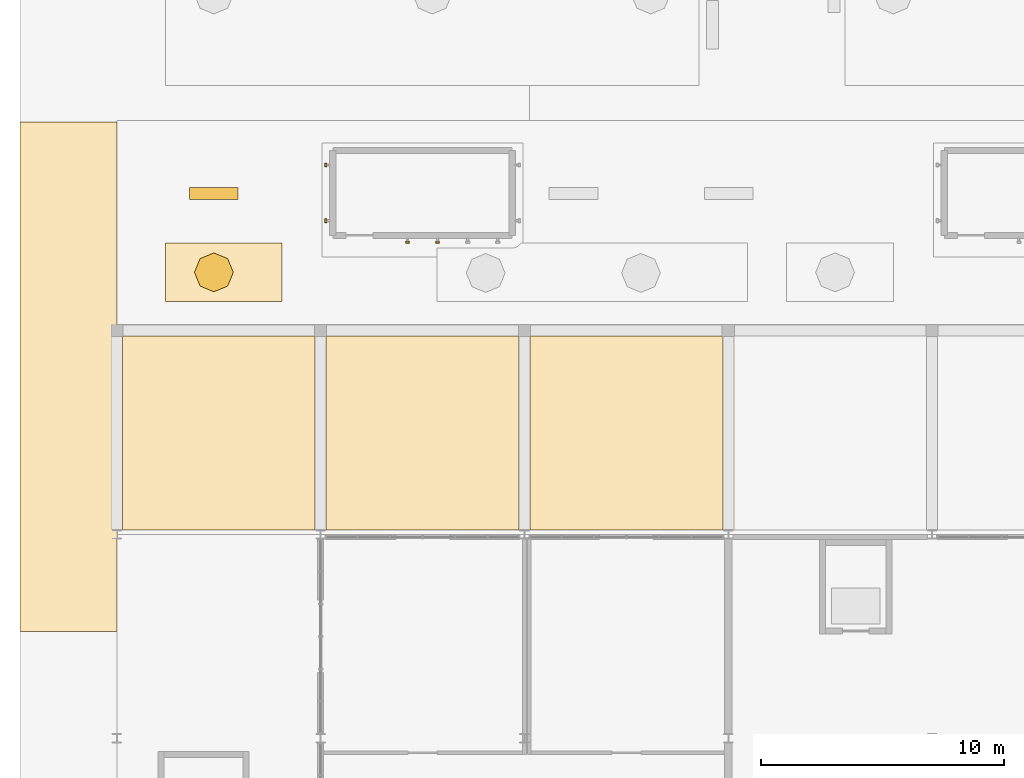
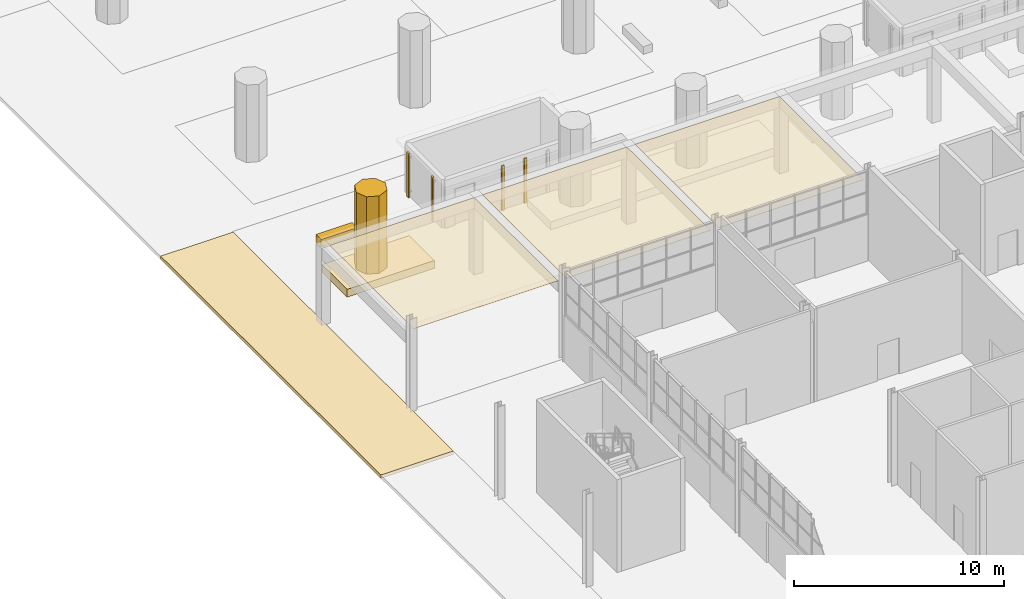
# One storey, part 113 of 127: 7 coverings, 4 shading devices.
"""IFC4 building model written with IfcOpenShell, lengths in metres."""

from ifc_helpers import new_model, si_unit, direction, frame, origin, origin_2d, place, context, subcontext, project, spatial, polyline, rectangle, outline, extrude, material, layer, layer_set, type_object, element, save


model = new_model("IFC4")

# Units and contexts
model_context = context("Model", 3, precision=1e-05, world=origin(), true_north=direction((0.0, 1.0)))
body_context = subcontext(model_context, "Body", "Model", "MODEL_VIEW")
ifc_project = project(units=[si_unit("LENGTHUNIT", "METRE"), si_unit("AREAUNIT", "SQUARE_METRE"), si_unit("VOLUMEUNIT", "CUBIC_METRE"), si_unit("PLANEANGLEUNIT", "RADIAN"), si_unit("MASSUNIT", "GRAM", prefix="KILO")], contexts=[model_context])

# Site, building, storey
site_placement = place(None, origin())
site = spatial("IfcSite", under=ifc_project, at=site_placement, CompositionType="ELEMENT")
building_placement = place(site_placement, origin())
building = spatial("IfcBuilding", under=site, at=building_placement, Name="Ljudholm Concert House", CompositionType="ELEMENT")
storey_placement = place(building_placement, origin())
storey = spatial("IfcBuildingStorey", under=building, at=storey_placement, Name="L00", CompositionType="ELEMENT", Elevation=0.0)

# Coverings
ifc_material_1 = material(Name="Aluminium soffit panels, timber-grain PVDF finish", Category="aluminium")
ifc_layer_1 = layer(ifc_material_1, 0.02001953125)
ifc_layer_set_1 = layer_set([ifc_layer_1], Name="Aluminium soffit panels, timber-grain PVDF finish")
covering_type_1 = type_object("IfcCoveringType", Name="ALUMINIUM SOFFIT PANELS, TIMBER-GRAIN PVDF FINISH CEILING 20", PredefinedType="CEILING", material=ifc_layer_set_1)
covering_1_placement = place(storey_placement, frame((0.0, 0.0, 4.47998046875)))
element("IfcCovering", 1, at=covering_1_placement, inside=storey, type_object=covering_type_1, Name="Arcade soffit", PredefinedType="CEILING", context=body_context, shape_type="SweptSolid", body=[
    extrude(outline(polyline([(4.22509765625, 130.186767578125), (12.175048828125, 130.186767578125), (12.175048828125, 138.175048828125), (4.22509765625, 138.175048828125), (4.22509765625, 130.186767578125)])), origin(), (0.0, 0.0, 1.0), 0.02001953125),
])
covering_2_placement = place(storey_placement, frame((0.0, 0.0, 4.47998046875)))
element("IfcCovering", 2, at=covering_2_placement, inside=storey, type_object=covering_type_1, Name="Arcade soffit", PredefinedType="CEILING", context=body_context, shape_type="SweptSolid", body=[
    extrude(outline(polyline([(12.625, 130.186767578125), (20.574951171875, 130.186767578125), (20.574951171875, 138.175048828125), (12.625, 138.175048828125), (12.625, 130.186767578125)])), origin(), (0.0, 0.0, 1.0), 0.02001953125),
])
covering_3_placement = place(storey_placement, frame((0.0, 0.0, 4.47998046875)))
element("IfcCovering", 3, at=covering_3_placement, inside=storey, type_object=covering_type_1, Name="Arcade soffit", PredefinedType="CEILING", context=body_context, shape_type="SweptSolid", body=[
    extrude(outline(polyline([(21.02490234375, 130.186767578125), (28.97509765625, 130.186767578125), (28.97509765625, 138.175048828125), (21.02490234375, 138.175048828125), (21.02490234375, 130.186767578125)])), origin(), (0.0, 0.0, 1.0), 0.02001953125),
])

# Shading devices
ifc_material_2 = material(Name="Aluminium extrusion with timber-grain PVDF finish", Category="aluminium")
shading_device_type = type_object("IfcShadingDeviceType", Name="FACADE FIN 80x160", PredefinedType="SHUTTER", material=ifc_material_2)
for number, where, z_axis, x_axis, name in (
    (4, (15.97802734375, 142.0400390625, 0.099853515625), (0.0, 0.0, 1.0), (0.0, -1.0, 0.0), "Facade fin"),
    (5, (17.217041015625, 142.0400390625, 0.099853515625), (0.0, 0.0, 1.0), (0.0, -1.0, 0.0), "Facade fin"),
    (6, (12.614990234375, 142.925048828125, 0.099853515625), (0.0, 0.0, 1.0), (-1.0, 0.0, 0.0), "Facade fin"),
    (7, (12.614990234375, 145.22509765625, 0.099853515625), (0.0, 0.0, 1.0), (-1.0, 0.0, 0.0), "Facade fin"),
):
    element("IfcShadingDevice", number, at=place(storey_placement, frame(where, z_axis=z_axis, x_axis=x_axis)), inside=storey, type_object=shading_device_type, Name=name, PredefinedType="SHUTTER", context=body_context, shape_type="SweptSolid", body=[
        extrude(rectangle(XDim=0.080078125, YDim=0.159912109375, at=origin_2d()), origin(), (0.0, 0.0, 1.0), 2.60009765625),
    ])

# Coverings
ifc_material_3 = material(Name="Planting soil and ground cover")
ifc_layer_2 = layer(ifc_material_3, 0.449951171875)
ifc_layer_set_2 = layer_set([ifc_layer_2], Name="Planting soil and ground cover")
covering_type_2 = type_object("IfcCoveringType", Name="PLANTING SOIL AND GROUND COVER FLOOR FINISH 450", PredefinedType="FLOORING", material=ifc_layer_set_2)
covering_4_placement = place(storey_placement, origin())
element("IfcCovering", 8, at=covering_4_placement, inside=storey, type_object=covering_type_2, Name="Planting bed", PredefinedType="FLOORING", context=body_context, shape_type="SweptSolid", body=[
    extrude(outline(polyline([(6.0, 139.60009765625), (6.0, 142.0), (10.800048828125, 142.0), (10.800048828125, 139.60009765625), (6.0, 139.60009765625)])), origin(), (0.0, 0.0, 1.0), 0.449951171875),
])
ifc_material_4 = material(Name="Precast concrete pavers on compacted sand bed", Category="concrete")
ifc_layer_3 = layer(ifc_material_4, 0.199951171875)
ifc_layer_set_3 = layer_set([ifc_layer_3], Name="Precast concrete pavers on compacted sand bed")
covering_type_3 = type_object("IfcCoveringType", Name="PRECAST CONCRETE PAVERS ON COMPACTED SAND BED PAVING 200", PredefinedType="USERDEFINED", material=ifc_layer_set_3)
covering_5_placement = place(storey_placement, frame((0.0, 0.0, -0.199951171875)))
element("IfcCovering", 9, at=covering_5_placement, inside=storey, type_object=covering_type_3, Name="Paving", ObjectType="PAVING", PredefinedType="USERDEFINED", context=body_context, shape_type="SweptSolid", body=[
    extrude(outline(polyline([(0.010009765625, 147.0), (4.0, 147.0), (4.0, 126.0), (0.010009765625, 126.0), (0.010009765625, 147.0)])), origin(), (0.0, 0.0, 1.0), 0.199951171875),
])
ifc_material_5 = material(Name="Timber-grain hardwood decking on concrete plinth", Category="concrete")
ifc_layer_4 = layer(ifc_material_5, 0.449951171875)
ifc_layer_set_4 = layer_set([ifc_layer_4], Name="Timber-grain hardwood decking on concrete plinth")
covering_type_4 = type_object("IfcCoveringType", Name="TIMBER-GRAIN HARDWOOD DECKING ON CONCRETE PLINTH FLOOR FINISH 450", PredefinedType="FLOORING", material=ifc_layer_set_4)
covering_6_placement = place(storey_placement, origin())
element("IfcCovering", 10, at=covering_6_placement, inside=storey, type_object=covering_type_4, Name="Timber seating platform", PredefinedType="FLOORING", context=body_context, shape_type="SweptSolid", body=[
    extrude(outline(polyline([(7.0, 143.800048828125), (9.0, 143.800048828125), (9.0, 144.300048828125), (7.0, 144.300048828125), (7.0, 143.800048828125)])), origin(), (0.0, 0.0, 1.0), 0.449951171875),
])
ifc_material_6 = material(Name="Tree planting")
covering_type_5 = type_object("IfcCoveringType", Name="TREE TRUNK AND CROWN 1600", PredefinedType="USERDEFINED", material=ifc_material_6)
covering_7_placement = place(storey_placement, frame((0.0, 0.0, 0.449951171875)))
element("IfcCovering", 11, at=covering_7_placement, inside=storey, type_object=covering_type_5, Name="Tree", ObjectType="TREE", PredefinedType="USERDEFINED", context=body_context, shape_type="SweptSolid", body=[
    extrude(outline(polyline([(8.800048828125, 140.800048828125), (8.565673828125, 141.36572265625), (8.0, 141.60009765625), (7.434326171875, 141.36572265625), (7.199951171875, 140.800048828125), (7.434326171875, 140.234375), (8.0, 140.0), (8.565673828125, 140.234375), (8.800048828125, 140.800048828125)])), origin(), (0.0, 0.0, 1.0), 4.5),
])

save(model, "model.ifc")
